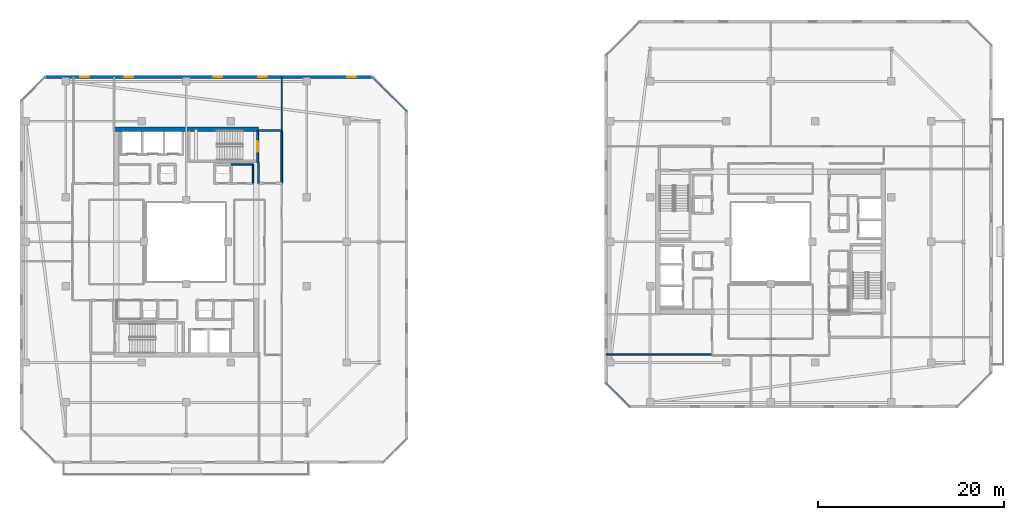
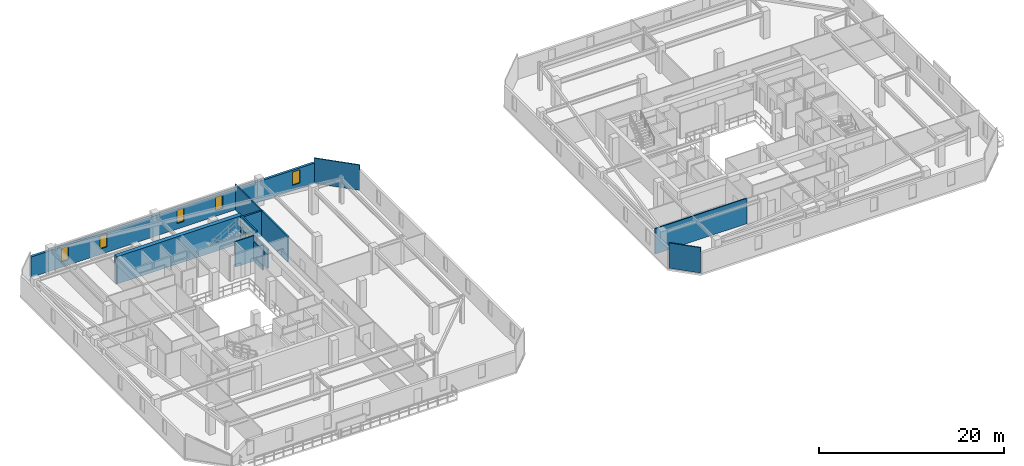
# One storey, part 24 of 34: 12 walls, 5 windows, 1 door, 6 openings.
"""IFC4 building model written with IfcOpenShell, lengths in metres."""

from ifc_helpers import new_model, si_unit, direction, frame, frame_2d, origin, place, context, subcontext, project, spatial, rectangle, extrude, material, layer, layer_set, type_object, element, fill, save


model = new_model("IFC4")

# Units and contexts
model_context = context("Model", 3, precision=1e-05, world=origin(), true_north=direction((0.0, 1.0)))
body_context = subcontext(model_context, "Body", "Model", "MODEL_VIEW")
ifc_project = project(units=[si_unit("LENGTHUNIT", "METRE"), si_unit("AREAUNIT", "SQUARE_METRE"), si_unit("VOLUMEUNIT", "CUBIC_METRE"), si_unit("PLANEANGLEUNIT", "RADIAN"), si_unit("MASSUNIT", "GRAM", prefix="KILO")], contexts=[model_context])

# Site, building, storey
site_placement = place(None, origin())
site = spatial("IfcSite", under=ifc_project, at=site_placement, CompositionType="ELEMENT")
building_placement = place(site_placement, origin())
building = spatial("IfcBuilding", under=site, at=building_placement, Name="Thornwick Lancets Civic Towers", CompositionType="ELEMENT")
storey_placement = place(building_placement, frame((0.0, 0.0, 261.89990234375)))
storey = spatial("IfcBuildingStorey", under=building, at=storey_placement, Name="L70", CompositionType="ELEMENT", Elevation=261.89990234375)

# Walls
ifc_material_1 = material(Name="Concrete blockwork C40/50", Category="masonry")
ifc_layer_1 = layer(ifc_material_1, 0.199951171875, Name="Concrete blockwork C40/50")
ifc_layer_set_1 = layer_set([ifc_layer_1], Name="Concrete blockwork C40/50")
wall_type_1 = type_object("IfcWallType", Name="WALL_COMP_200", PredefinedType="STANDARD", material=ifc_layer_set_1)
wall_1_placement = place(storey_placement, frame((35.800048828125, 33.300048828125, 0.0), z_axis=(0.0, 0.0, 1.0), x_axis=(0.0, 1.0, 0.0)))
element("IfcWall", 1, at=wall_1_placement, inside=storey, type_object=wall_type_1, Name="L70 Partition L70-A-FFLOB2 E2", PredefinedType="STANDARD", context=body_context, shape_type="SweptSolid", body=[
    extrude(rectangle(XDim=5.699951171875, YDim=0.199951171875, at=frame_2d((2.85009765625, 0.0))), origin(), (0.0, 0.0, 1.0), 3.340087890625),
])
wall_2_placement = place(storey_placement, frame((35.800048828125, 39.0, 0.0), z_axis=(0.0, 0.0, 1.0), x_axis=(-1.0, 0.0, 0.0)))
element("IfcWall", 2, at=wall_2_placement, inside=storey, type_object=wall_type_1, Name="L70 Partition L70-A-FFLOB2 E3", PredefinedType="STANDARD", context=body_context, shape_type="SweptSolid", body=[
    extrude(rectangle(XDim=2.5, YDim=0.199951171875, at=frame_2d((1.25, 0.0))), origin(), (0.0, 0.0, 1.0), 3.340087890625),
])
wall_3_placement = place(storey_placement, frame((33.300048828125, 35.60009765625, 0.0), z_axis=(0.0, 0.0, 1.0), x_axis=(0.0, -1.0, 0.0)))
element("IfcWall", 3, at=wall_3_placement, inside=storey, type_object=wall_type_1, Name="L70 Partition L70-A-FFLOB2 E4", PredefinedType="STANDARD", context=body_context, shape_type="SweptSolid", body=[
    extrude(rectangle(XDim=2.300048828125, YDim=0.199951171875, at=frame_2d((1.14990234375, 0.0))), origin(), (0.0, 0.0, 1.0), 2.545166015625),
])
ifc_material_2 = material(Name="Concrete C50/60", Category="concrete")
ifc_layer_2 = layer(ifc_material_2, 0.5, Name="Concrete C50/60")
ifc_layer_set_2 = layer_set([ifc_layer_2], Name="Concrete C50/60")
wall_type_2 = type_object("IfcWallType", Name="WALL_CORE_500", PredefinedType="SHEAR", material=ifc_layer_set_2)
wall_4_placement = place(storey_placement, frame((17.699951171875, 39.14990234375, 0.0), z_axis=(0.0, 0.0, 1.0), x_axis=(1.0, 0.0, 0.0)))
element("IfcWall", 4, at=wall_4_placement, inside=storey, type_object=wall_type_2, Name="L70 Split Core A2 Shear Wall N", PredefinedType="SHEAR", context=body_context, shape_type="SweptSolid", body=[
    extrude(rectangle(XDim=15.60009765625, YDim=0.5, at=frame_2d((7.800048828125, 0.0))), origin(), (0.0, 0.0, 1.0), 3.60009765625),
])

# Wall, openings, windows
ifc_material_3 = material(Name="Insulated russet terracotta rainscreen on concrete C40/50", Category="masonry")
ifc_layer_3 = layer(ifc_material_3, 0.300048828125, Name="Insulated russet terracotta rainscreen on concrete C40/50")
ifc_layer_set_3 = layer_set([ifc_layer_3], Name="Insulated russet terracotta rainscreen on concrete C40/50")
wall_type_3 = type_object("IfcWallType", Name="WALL_EXT_RUSSET_300", PredefinedType="STANDARD", material=ifc_layer_set_3)
wall_5_placement = place(storey_placement, frame((45.57763671875, 44.760986328125, 0.0), z_axis=(0.0, 0.0, 1.0), x_axis=(-0.999999994606, 0.000103863011, 0.0)))
wall_5 = element("IfcWall", 5, at=wall_5_placement, inside=storey, type_object=wall_type_3, Name="L70 Tower A Terracotta Facade Wall E4", PredefinedType="STANDARD", context=body_context, shape_type="SweptSolid", body=[
    extrude(rectangle(XDim=35.259033203125, YDim=0.300048828125, at=frame_2d((17.62939453125, 0.0))), origin(), (0.0, 0.0, 1.0), 2.7001953125),
])
opening_1_placement = place(wall_5_placement, frame((1.800048828125, 0.0, 0.719970703125)))
opening_1 = element("IfcOpeningElement", 6, at=opening_1_placement, cuts=wall_5, Name="Opening WL-01", PredefinedType="OPENING", context=body_context, shape_type="SweptSolid", body=[
    extrude(rectangle(XDim=0.89990234375, YDim=1.75, at=frame_2d((0.449951171875, 0.875))), frame((0.0, 0.16015625, 0.0), z_axis=(0.0, -1.0, 0.0), x_axis=(1.0, 0.0, 0.0)), (0.0, 0.0, 1.0), 0.320068359375),
])
opening_2_placement = place(wall_5_placement, frame((11.39990234375, 0.0, 0.719970703125)))
opening_2 = element("IfcOpeningElement", 7, at=opening_2_placement, cuts=wall_5, Name="Opening WL-01", PredefinedType="OPENING", context=body_context, shape_type="SweptSolid", body=[
    extrude(rectangle(XDim=0.89990234375, YDim=1.75, at=frame_2d((0.449951171875, 0.875))), frame((0.0, 0.16015625, 0.0), z_axis=(0.0, -1.0, 0.0), x_axis=(1.0, 0.0, 0.0)), (0.0, 0.0, 1.0), 0.320068359375),
])
opening_3_placement = place(wall_5_placement, frame((16.199951171875, 0.0, 0.719970703125)))
opening_3 = element("IfcOpeningElement", 8, at=opening_3_placement, cuts=wall_5, Name="Opening WL-01", PredefinedType="OPENING", context=body_context, shape_type="SweptSolid", body=[
    extrude(rectangle(XDim=0.89990234375, YDim=1.75, at=frame_2d((0.449951171875, 0.875))), frame((0.0, 0.16015625, 0.0), z_axis=(0.0, -1.0, 0.0), x_axis=(1.0, 0.0, 0.0)), (0.0, 0.0, 1.0), 0.320068359375),
])
opening_4_placement = place(wall_5_placement, frame((25.800048828125, 0.0, 0.719970703125)))
opening_4 = element("IfcOpeningElement", 9, at=opening_4_placement, cuts=wall_5, Name="Opening WL-01", PredefinedType="OPENING", context=body_context, shape_type="SweptSolid", body=[
    extrude(rectangle(XDim=0.89990234375, YDim=1.75, at=frame_2d((0.449951171875, 0.875))), frame((0.0, 0.16015625, 0.0), z_axis=(0.0, -1.0, 0.0), x_axis=(1.0, 0.0, 0.0)), (0.0, 0.0, 1.0), 0.320068359375),
])
opening_5_placement = place(wall_5_placement, frame((30.60009765625, 0.0, 0.719970703125)))
opening_5 = element("IfcOpeningElement", 10, at=opening_5_placement, cuts=wall_5, Name="Opening WL-01", PredefinedType="OPENING", context=body_context, shape_type="SweptSolid", body=[
    extrude(rectangle(XDim=0.89990234375, YDim=1.75, at=frame_2d((0.449951171875, 0.875))), frame((0.0, 0.16015625, 0.0), z_axis=(0.0, -1.0, 0.0), x_axis=(1.0, 0.0, 0.0)), (0.0, 0.0, 1.0), 0.320068359375),
])
ifc_material_4 = material(Name="Clear low-e double glazing in bronze frame", Category="glass")
window_type = type_object("IfcWindowType", Name="WIN_LANCET_900", PartitioningType="SINGLE_PANEL", PredefinedType="WINDOW", material=ifc_material_4)
window_1_placement = place(opening_1_placement, origin())
window_1 = element("IfcWindow", 11, at=window_1_placement, inside=storey, type_object=window_type, Name="L70 Tower A Staggered Lancet Window E4-1", OverallHeight=1.75, OverallWidth=0.89990234375, PartitioningType="SINGLE_PANEL", PredefinedType="WINDOW", context=body_context, shape_type="SweptSolid", body=[
    extrude(rectangle(XDim=0.89990234375, YDim=1.75, at=frame_2d((0.449951171875, 0.875))), frame((0.0, 0.030029296875, 0.0), z_axis=(0.0, -1.0, 0.0), x_axis=(1.0, 0.0, 0.0)), (0.0, 0.0, 1.0), 0.06005859375),
])
fill(opening_1, window_1)
window_2_placement = place(opening_2_placement, origin())
window_2 = element("IfcWindow", 12, at=window_2_placement, inside=storey, type_object=window_type, Name="L70 Tower A Staggered Lancet Window E4-2", OverallHeight=1.75, OverallWidth=0.89990234375, PartitioningType="SINGLE_PANEL", PredefinedType="WINDOW", context=body_context, shape_type="SweptSolid", body=[
    extrude(rectangle(XDim=0.89990234375, YDim=1.75, at=frame_2d((0.449951171875, 0.875))), frame((0.0, 0.030029296875, 0.0), z_axis=(0.0, -1.0, 0.0), x_axis=(1.0, 0.0, 0.0)), (0.0, 0.0, 1.0), 0.06005859375),
])
fill(opening_2, window_2)
window_3_placement = place(opening_3_placement, origin())
window_3 = element("IfcWindow", 13, at=window_3_placement, inside=storey, type_object=window_type, Name="L70 Tower A Staggered Lancet Window E4-3", OverallHeight=1.75, OverallWidth=0.89990234375, PartitioningType="SINGLE_PANEL", PredefinedType="WINDOW", context=body_context, shape_type="SweptSolid", body=[
    extrude(rectangle(XDim=0.89990234375, YDim=1.75, at=frame_2d((0.449951171875, 0.875))), frame((0.0, 0.030029296875, 0.0), z_axis=(0.0, -1.0, 0.0), x_axis=(1.0, 0.0, 0.0)), (0.0, 0.0, 1.0), 0.06005859375),
])
fill(opening_3, window_3)
window_4_placement = place(opening_4_placement, origin())
window_4 = element("IfcWindow", 14, at=window_4_placement, inside=storey, type_object=window_type, Name="L70 Tower A Staggered Lancet Window E4-4", OverallHeight=1.75, OverallWidth=0.89990234375, PartitioningType="SINGLE_PANEL", PredefinedType="WINDOW", context=body_context, shape_type="SweptSolid", body=[
    extrude(rectangle(XDim=0.89990234375, YDim=1.75, at=frame_2d((0.449951171875, 0.875))), frame((0.0, 0.030029296875, 0.0), z_axis=(0.0, -1.0, 0.0), x_axis=(1.0, 0.0, 0.0)), (0.0, 0.0, 1.0), 0.06005859375),
])
fill(opening_4, window_4)
window_5_placement = place(opening_5_placement, origin())
window_5 = element("IfcWindow", 15, at=window_5_placement, inside=storey, type_object=window_type, Name="L70 Tower A Staggered Lancet Window E4-5", OverallHeight=1.75, OverallWidth=0.89990234375, PartitioningType="SINGLE_PANEL", PredefinedType="WINDOW", context=body_context, shape_type="SweptSolid", body=[
    extrude(rectangle(XDim=0.89990234375, YDim=1.75, at=frame_2d((0.449951171875, 0.875))), frame((0.0, 0.030029296875, 0.0), z_axis=(0.0, -1.0, 0.0), x_axis=(1.0, 0.0, 0.0)), (0.0, 0.0, 1.0), 0.06005859375),
])
fill(opening_5, window_5)

# Walls
ifc_material_5 = material(Name="Acoustic gypsum board partition")
ifc_layer_4 = layer(ifc_material_5, 0.1201171875, Name="Acoustic gypsum board partition")
ifc_layer_set_4 = layer_set([ifc_layer_4], Name="Acoustic gypsum board partition")
wall_type_4 = type_object("IfcWallType", Name="WALL_PART_120", PredefinedType="PARTITIONING", material=ifc_layer_set_4)
wall_6_placement = place(storey_placement, frame((35.800048828125, 39.0, 0.0), z_axis=(0.0, 0.0, 1.0), x_axis=(0.0, 1.0, 0.0)))
element("IfcWall", 16, at=wall_6_placement, inside=storey, type_object=wall_type_4, Name="L70 Partition L70-A-E2 E2", PredefinedType="PARTITIONING", context=body_context, shape_type="SweptSolid", body=[
    extrude(rectangle(XDim=5.719970703125, YDim=0.1201171875, at=frame_2d((2.85986328125, 0.0))), origin(), (0.0, 0.0, 1.0), 3.340087890625),
])
wall_7_placement = place(storey_placement, frame((45.617431640625, 44.719970703125, 0.0), z_axis=(0.0, 0.0, 1.0), x_axis=(0.707106781187, -0.707106781187, 0.0)))
element("IfcWall", 17, at=wall_7_placement, inside=storey, type_object=wall_type_4, Name="L70 Partition L70-A-E2 E4", PredefinedType="PARTITIONING", context=body_context, shape_type="SweptSolid", body=[
    extrude(rectangle(XDim=5.0947265625, YDim=0.1201171875, at=frame_2d((2.54736328125, 0.0))), origin(), (0.0, 0.0, 1.0), 3.340087890625),
])
wall_8_placement = place(storey_placement, frame((73.274658203125, 9.280029296875, 0.0), z_axis=(0.0, 0.0, 1.0), x_axis=(-0.707106781187, 0.707106781187, 0.0)))
element("IfcWall", 18, at=wall_8_placement, inside=storey, type_object=wall_type_4, Name="L70 Partition L70-B-W2B E2", PredefinedType="PARTITIONING", context=body_context, shape_type="SweptSolid", body=[
    extrude(rectangle(XDim=3.52783203125, YDim=0.1201171875, at=frame_2d((1.763916015625, 0.0))), origin(), (0.0, 0.0, 1.0), 3.340087890625),
])
ifc_material_6 = material(Name="Twin-stud acoustic gypsum board")
ifc_layer_5 = layer(ifc_material_6, 0.14990234375, Name="Twin-stud acoustic gypsum board")
ifc_layer_set_5 = layer_set([ifc_layer_5], Name="Twin-stud acoustic gypsum board")
wall_type_5 = type_object("IfcWallType", Name="WALL_PART_150", PredefinedType="PARTITIONING", material=ifc_layer_set_5)
wall_9_placement = place(storey_placement, frame((32.699951171875, 35.35009765625, 0.0), z_axis=(0.0, 0.0, 1.0), x_axis=(0.0, -1.0, 0.0)))
element("IfcWall", 19, at=wall_9_placement, inside=storey, type_object=wall_type_5, Name="L70 Partition L70-A-FWC E1", PredefinedType="PARTITIONING", context=body_context, shape_type="SweptSolid", body=[
    extrude(rectangle(XDim=2.050048828125, YDim=0.14990234375, at=frame_2d((1.02490234375, 0.0))), origin(), (0.0, 0.0, 1.0), 2.545166015625),
])
wall_10_placement = place(storey_placement, frame((30.35009765625, 35.35009765625, 0.0), z_axis=(0.0, 0.0, 1.0), x_axis=(1.0, 0.0, 0.0)))
element("IfcWall", 20, at=wall_10_placement, inside=storey, type_object=wall_type_5, Name="L70 Partition L70-A-FWC E4", PredefinedType="PARTITIONING", context=body_context, shape_type="SweptSolid", body=[
    extrude(rectangle(XDim=2.349853515625, YDim=0.14990234375, at=frame_2d((1.1748046875, 0.0))), origin(), (0.0, 0.0, 1.0), 3.340087890625),
])
wall_11_placement = place(storey_placement, frame((82.199951171875, 14.85009765625, 0.0), z_axis=(0.0, 0.0, 1.0), x_axis=(-1.0, 0.0, 0.0)))
element("IfcWall", 21, at=wall_11_placement, inside=storey, type_object=wall_type_5, Name="L70 Partition L70-B-RECLAIM-M1 E1", PredefinedType="PARTITIONING", context=body_context, shape_type="SweptSolid", body=[
    extrude(rectangle(XDim=11.419921875, YDim=0.14990234375, at=frame_2d((5.7099609375, 0.0))), origin(), (0.0, 0.0, 1.0), 3.340087890625),
])

# Wall, opening, door
ifc_material_7 = material(Name="Concrete C40/50", Category="concrete")
ifc_layer_6 = layer(ifc_material_7, 0.199951171875, Name="Concrete C40/50")
ifc_layer_set_6 = layer_set([ifc_layer_6], Name="Concrete C40/50")
wall_type_6 = type_object("IfcWallType", Name="WALL_SHAFT_200", PredefinedType="SHEAR", material=ifc_layer_set_6)
wall_12_placement = place(storey_placement, frame((33.199951171875, 38.949951171875, 0.0), z_axis=(0.0, 0.0, 1.0), x_axis=(0.0, -1.0, 0.0)))
wall_12 = element("IfcWall", 22, at=wall_12_placement, inside=storey, type_object=wall_type_6, Name="L70 ST-A2 Fire Stair Core Wall NEAR", PredefinedType="SHEAR", context=body_context, shape_type="SweptSolid", body=[
    extrude(rectangle(XDim=3.349853515625, YDim=0.199951171875, at=frame_2d((1.6748046875, 0.0))), origin(), (0.0, 0.0, 1.0), 3.60009765625),
])
opening_6_placement = place(wall_12_placement, frame((1.125, 0.0, 0.0)))
opening_6 = element("IfcOpeningElement", 23, at=opening_6_placement, cuts=wall_12, Name="Opening D-ST-A2-L70", PredefinedType="OPENING", context=body_context, shape_type="SweptSolid", body=[
    extrude(rectangle(XDim=1.10009765625, YDim=2.10009765625, at=frame_2d((0.550048828125, 1.050048828125))), frame((0.0, 0.10986328125, 0.0), z_axis=(0.0, -1.0, 0.0), x_axis=(1.0, 0.0, 0.0)), (0.0, 0.0, 1.0), 0.219970703125),
])
ifc_material_8 = material(Name="Fire-resisting steel and hardwood", Category="steel")
door_type = type_object("IfcDoorType", Name="DOOR_STAIR_FD60", OperationType="NOTDEFINED", PredefinedType="DOOR", material=ifc_material_8)
door_placement = place(opening_6_placement, origin())
door = element("IfcDoor", 24, at=door_placement, inside=storey, type_object=door_type, Name="L70 ST-A2 Exit Stair Door", OperationType="SINGLE_SWING_LEFT", OverallHeight=2.10009765625, OverallWidth=1.10009765625, PredefinedType="DOOR", context=body_context, shape_type="SweptSolid", body=[
    extrude(rectangle(XDim=1.10009765625, YDim=2.10009765625, at=frame_2d((0.550048828125, 1.050048828125))), frame((0.0, 0.02490234375, 0.0), z_axis=(0.0, -1.0, 0.0), x_axis=(1.0, 0.0, 0.0)), (0.0, 0.0, 1.0), 0.050048828125),
])
fill(opening_6, door)

save(model, "model.ifc")
